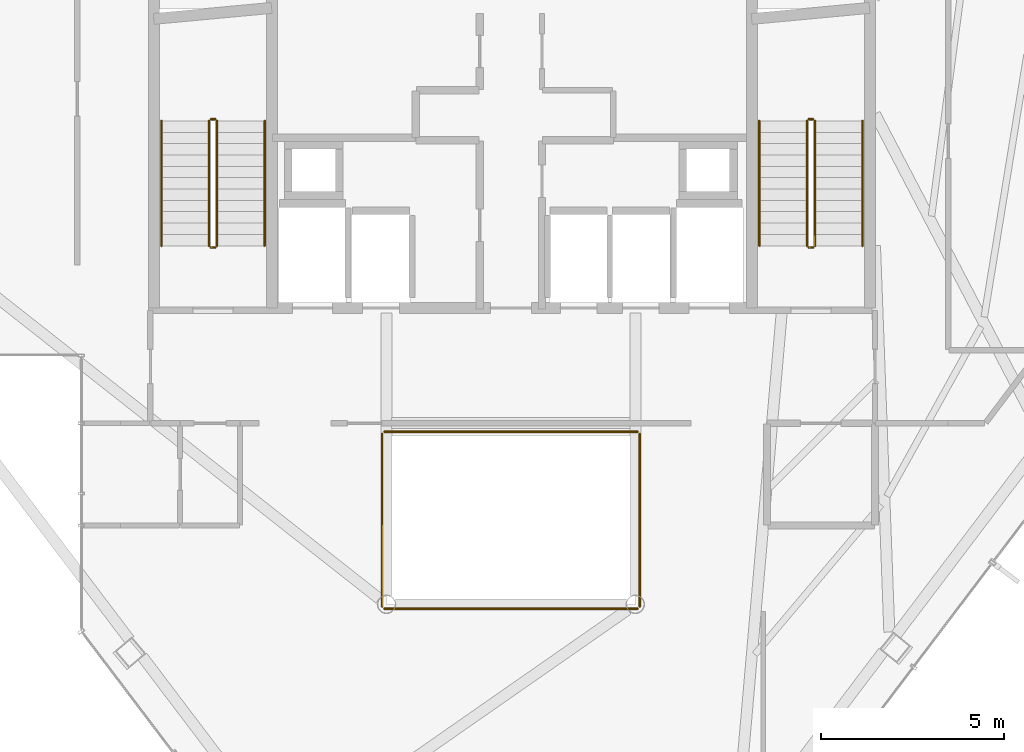
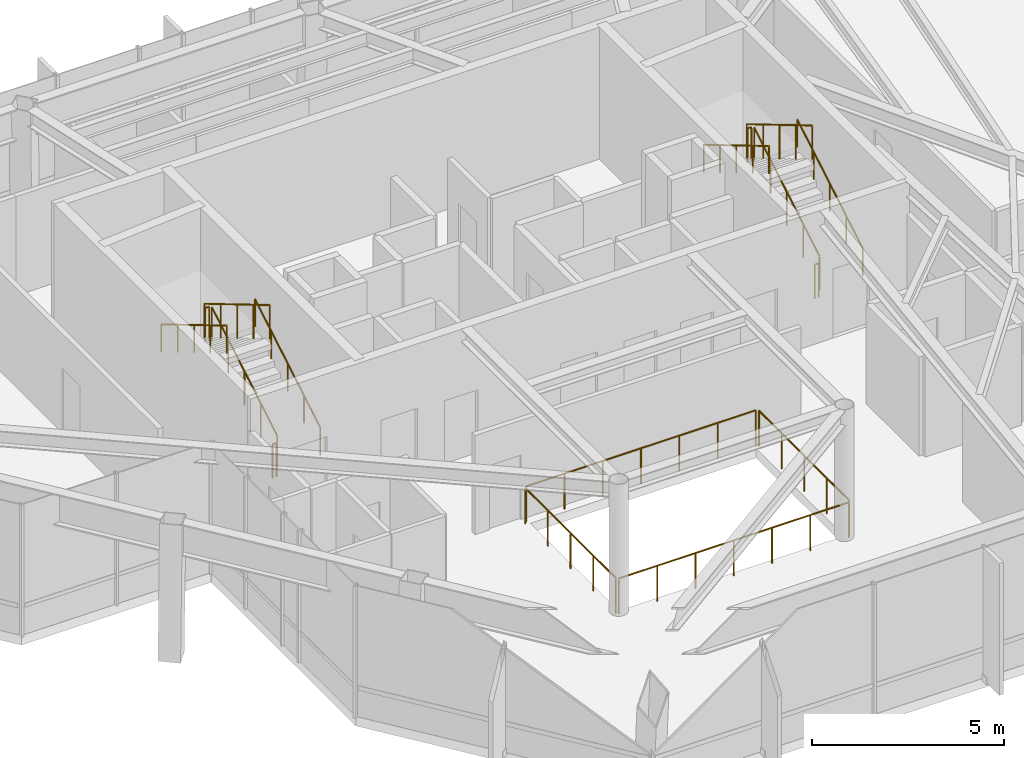
# One storey, part 22 of 22: 16 railings.
"""IFC4 building model written with IfcOpenShell, lengths in metres."""

from ifc_helpers import new_model, si_unit, direction, frame, origin, origin_2d, place, context, subcontext, project, spatial, circle, extrude, material, type_object, element, save


model = new_model("IFC4")

# Units and contexts
model_context = context("Model", 3, precision=1e-05, world=origin(), true_north=direction((0.0, 1.0)))
body_context = subcontext(model_context, "Body", "Model", "MODEL_VIEW")
ifc_project = project(units=[si_unit("LENGTHUNIT", "METRE"), si_unit("AREAUNIT", "SQUARE_METRE"), si_unit("VOLUMEUNIT", "CUBIC_METRE"), si_unit("PLANEANGLEUNIT", "RADIAN"), si_unit("MASSUNIT", "GRAM", prefix="KILO")], contexts=[model_context])

# Site, building, storey
site_placement = place(None, origin())
site = spatial("IfcSite", under=ifc_project, at=site_placement, CompositionType="ELEMENT")
building_placement = place(site_placement, origin())
building = spatial("IfcBuilding", under=site, at=building_placement, Name="Zarrinselat Tower", CompositionType="ELEMENT")
storey_placement = place(building_placement, frame((0.0, 0.0, 204.340087890625)))
storey = spatial("IfcBuildingStorey", under=building, at=storey_placement, Name="L50", CompositionType="ELEMENT", Elevation=204.340087890625)

# Railings
ifc_material_1 = material(Name="Double Low-E Laminated Solar Glass", Category="glass")
railing_type_1 = type_object("IfcRailingType", Name="RLG-ATRIUM-BAL", PredefinedType="BALUSTRADE", material=ifc_material_1)
railing_1_placement = place(storey_placement, frame((34.93994140625, 25.080078125, 0.0)))
element("IfcRailing", 1, at=railing_1_placement, inside=storey, type_object=railing_type_1, Name="L50 Atrium Void Glass Balustrade S", PredefinedType="BALUSTRADE", context=body_context, shape_type="SweptSolid", body=[
    extrude(circle(Radius=0.02392578125, at=origin_2d()), frame((0.0, 0.0, 1.1259765625), z_axis=(1.0, 0.0, 0.0), x_axis=(0.0, 1.0, 0.0)), (0.0, 0.0, 1.0), 6.920166015625),
    extrude(circle(Radius=0.02099609375, at=origin_2d()), origin(), (0.0, 0.0, 1.0), 1.099853515625),
    extrude(circle(Radius=0.02099609375, at=origin_2d()), frame((1.1533203125, 0.0, 0.0)), (0.0, 0.0, 1.0), 1.099853515625),
    extrude(circle(Radius=0.02099609375, at=origin_2d()), frame((2.306640625, 0.0, 0.0)), (0.0, 0.0, 1.0), 1.099853515625),
    extrude(circle(Radius=0.02099609375, at=origin_2d()), frame((3.4599609375, 0.0, 0.0)), (0.0, 0.0, 1.0), 1.099853515625),
    extrude(circle(Radius=0.02099609375, at=origin_2d()), frame((4.613525390625, 0.0, 0.0)), (0.0, 0.0, 1.0), 1.099853515625),
    extrude(circle(Radius=0.02099609375, at=origin_2d()), frame((5.766845703125, 0.0, 0.0)), (0.0, 0.0, 1.0), 1.099853515625),
    extrude(circle(Radius=0.02099609375, at=origin_2d()), frame((6.920166015625, 0.0, 0.0)), (0.0, 0.0, 1.0), 1.099853515625),
])
railing_2_placement = place(storey_placement, frame((41.919921875, 25.139892578125, 0.0)))
element("IfcRailing", 2, at=railing_2_placement, inside=storey, type_object=railing_type_1, Name="L50 Atrium Void Glass Balustrade E", PredefinedType="BALUSTRADE", context=body_context, shape_type="SweptSolid", body=[
    extrude(circle(Radius=0.02392578125, at=origin_2d()), frame((0.0, 0.0, 1.1259765625), z_axis=(0.0, 1.0, 0.0), x_axis=(-1.0, 0.0, 0.0)), (0.0, 0.0, 1.0), 4.72021484375),
    extrude(circle(Radius=0.02099609375, at=origin_2d()), origin(), (0.0, 0.0, 1.0), 1.099853515625),
    extrude(circle(Radius=0.02099609375, at=origin_2d()), frame((0.0, 1.18017578125, 0.0)), (0.0, 0.0, 1.0), 1.099853515625),
    extrude(circle(Radius=0.02099609375, at=origin_2d()), frame((0.0, 2.360107421875, 0.0)), (0.0, 0.0, 1.0), 1.099853515625),
    extrude(circle(Radius=0.02099609375, at=origin_2d()), frame((0.0, 3.5400390625, 0.0)), (0.0, 0.0, 1.0), 1.099853515625),
    extrude(circle(Radius=0.02099609375, at=origin_2d()), frame((0.0, 4.72021484375, 0.0)), (0.0, 0.0, 1.0), 1.099853515625),
])
railing_3_placement = place(storey_placement, frame((41.860107421875, 29.919921875, 0.0)))
element("IfcRailing", 3, at=railing_3_placement, inside=storey, type_object=railing_type_1, Name="L50 Atrium Void Glass Balustrade N", PredefinedType="BALUSTRADE", context=body_context, shape_type="SweptSolid", body=[
    extrude(circle(Radius=0.02392578125, at=origin_2d()), frame((0.0, 0.0, 1.1259765625), z_axis=(-1.0, 0.0, 0.0), x_axis=(0.0, -1.0, 0.0)), (0.0, 0.0, 1.0), 6.920166015625),
    extrude(circle(Radius=0.02099609375, at=origin_2d()), origin(), (0.0, 0.0, 1.0), 1.099853515625),
    extrude(circle(Radius=0.02099609375, at=origin_2d()), frame((-1.1533203125, 0.0, 0.0)), (0.0, 0.0, 1.0), 1.099853515625),
    extrude(circle(Radius=0.02099609375, at=origin_2d()), frame((-2.306640625, 0.0, 0.0)), (0.0, 0.0, 1.0), 1.099853515625),
    extrude(circle(Radius=0.02099609375, at=origin_2d()), frame((-3.4599609375, 0.0, 0.0)), (0.0, 0.0, 1.0), 1.099853515625),
    extrude(circle(Radius=0.02099609375, at=origin_2d()), frame((-4.613525390625, 0.0, 0.0)), (0.0, 0.0, 1.0), 1.099853515625),
    extrude(circle(Radius=0.02099609375, at=origin_2d()), frame((-5.766845703125, 0.0, 0.0)), (0.0, 0.0, 1.0), 1.099853515625),
    extrude(circle(Radius=0.02099609375, at=origin_2d()), frame((-6.920166015625, 0.0, 0.0)), (0.0, 0.0, 1.0), 1.099853515625),
])
railing_4_placement = place(storey_placement, frame((34.8798828125, 29.860107421875, 0.0)))
element("IfcRailing", 4, at=railing_4_placement, inside=storey, type_object=railing_type_1, Name="L50 Atrium Void Glass Balustrade W", PredefinedType="BALUSTRADE", context=body_context, shape_type="SweptSolid", body=[
    extrude(circle(Radius=0.02392578125, at=origin_2d()), frame((0.0, 0.0, 1.1259765625), z_axis=(0.0, -1.0, 0.0), x_axis=(1.0, 0.0, 0.0)), (0.0, 0.0, 1.0), 4.72021484375),
    extrude(circle(Radius=0.02099609375, at=origin_2d()), origin(), (0.0, 0.0, 1.0), 1.099853515625),
    extrude(circle(Radius=0.02099609375, at=origin_2d()), frame((0.0, -1.18017578125, 0.0)), (0.0, 0.0, 1.0), 1.099853515625),
    extrude(circle(Radius=0.02099609375, at=origin_2d()), frame((0.0, -2.360107421875, 0.0)), (0.0, 0.0, 1.0), 1.099853515625),
    extrude(circle(Radius=0.02099609375, at=origin_2d()), frame((0.0, -3.5400390625, 0.0)), (0.0, 0.0, 1.0), 1.099853515625),
    extrude(circle(Radius=0.02099609375, at=origin_2d()), frame((0.0, -4.72021484375, 0.0)), (0.0, 0.0, 1.0), 1.099853515625),
])
ifc_material_2 = material(Name="Steel S355J2", Category="steel")
railing_type_2 = type_object("IfcRailingType", Name="RLG-STAIR-GUARD", PredefinedType="GUARDRAIL", material=ifc_material_2)
railing_5_placement = place(storey_placement, frame((30.3701171875, 35.0, 0.18408203125)))
element("IfcRailing", 5, at=railing_5_placement, inside=storey, type_object=railing_type_2, Name="L50 ST-1 stair guard 1", PredefinedType="GUARDRAIL", context=body_context, shape_type="SweptSolid", body=[
    extrude(circle(Radius=0.02392578125, at=origin_2d()), frame((0.0, 0.0, 1.076171875), z_axis=(0.0, 0.85971707285, 0.510770549904), x_axis=(-1.0, 0.0, 0.0)), (0.0, 0.0, 1.0), 3.96630859375),
    extrude(circle(Radius=0.02099609375, at=origin_2d()), origin(), (0.0, 0.0, 1.0), 1.050048828125),
    extrude(circle(Radius=0.02099609375, at=origin_2d()), frame((0.0, 0.8525390625, 0.50634765625)), (0.0, 0.0, 1.0), 1.050048828125),
    extrude(circle(Radius=0.02099609375, at=origin_2d()), frame((0.0, 1.705078125, 1.012939453125)), (0.0, 0.0, 1.0), 1.050048828125),
    extrude(circle(Radius=0.02099609375, at=origin_2d()), frame((0.0, 2.557373046875, 1.51953125)), (0.0, 0.0, 1.0), 1.050048828125),
    extrude(circle(Radius=0.02099609375, at=origin_2d()), frame((0.0, 3.409912109375, 2.02587890625)), (0.0, 0.0, 1.0), 1.050048828125),
])
railing_6_placement = place(storey_placement, frame((30.320068359375, 38.4599609375, 2.2099609375)))
element("IfcRailing", 6, at=railing_6_placement, inside=storey, type_object=railing_type_2, Name="L50 ST-1 stair guard 2", PredefinedType="GUARDRAIL", context=body_context, shape_type="SweptSolid", body=[
    extrude(circle(Radius=0.02392578125, at=origin_2d()), frame((0.0, 0.0, 1.076171875), z_axis=(-1.0, 0.0, 0.0), x_axis=(0.0, -1.0, 0.0)), (0.0, 0.0, 1.0), 0.1201171875),
    extrude(circle(Radius=0.02099609375, at=origin_2d()), origin(), (0.0, 0.0, 1.0), 1.050048828125),
    extrude(circle(Radius=0.02099609375, at=origin_2d()), frame((-0.1201171875, 0.0, 0.0)), (0.0, 0.0, 1.0), 1.050048828125),
])
railing_7_placement = place(storey_placement, frame((30.14990234375, 38.409912109375, 2.39404296875)))
element("IfcRailing", 7, at=railing_7_placement, inside=storey, type_object=railing_type_2, Name="L50 ST-1 stair guard 3", PredefinedType="GUARDRAIL", context=body_context, shape_type="SweptSolid", body=[
    extrude(circle(Radius=0.02392578125, at=origin_2d()), frame((0.0, 0.0, 1.076171875), z_axis=(0.0, -0.85971707285, 0.510770549904), x_axis=(1.0, 0.0, 0.0)), (0.0, 0.0, 1.0), 3.96630859375),
    extrude(circle(Radius=0.02099609375, at=origin_2d()), origin(), (0.0, 0.0, 1.0), 1.050048828125),
    extrude(circle(Radius=0.02099609375, at=origin_2d()), frame((0.0, -0.8525390625, 0.50634765625)), (0.0, 0.0, 1.0), 1.050048828125),
    extrude(circle(Radius=0.02099609375, at=origin_2d()), frame((0.0, -1.705078125, 1.012939453125)), (0.0, 0.0, 1.0), 1.050048828125),
    extrude(circle(Radius=0.02099609375, at=origin_2d()), frame((0.0, -2.557373046875, 1.51953125)), (0.0, 0.0, 1.0), 1.050048828125),
    extrude(circle(Radius=0.02099609375, at=origin_2d()), frame((0.0, -3.409912109375, 2.02587890625)), (0.0, 0.0, 1.0), 1.050048828125),
])
railing_8_placement = place(storey_placement, frame((30.320068359375, 34.949951171875, 0.0)))
element("IfcRailing", 8, at=railing_8_placement, inside=storey, type_object=railing_type_2, Name="L50 ST-1 stair guard 4", PredefinedType="GUARDRAIL", context=body_context, shape_type="SweptSolid", body=[
    extrude(circle(Radius=0.02392578125, at=origin_2d()), frame((0.0, 0.0, 1.076171875), z_axis=(-1.0, 0.0, 0.0), x_axis=(0.0, -1.0, 0.0)), (0.0, 0.0, 1.0), 0.1201171875),
    extrude(circle(Radius=0.02099609375, at=origin_2d()), origin(), (0.0, 0.0, 1.0), 1.050048828125),
    extrude(circle(Radius=0.02099609375, at=origin_2d()), frame((-0.1201171875, 0.0, 0.0)), (0.0, 0.0, 1.0), 1.050048828125),
])
railing_9_placement = place(storey_placement, frame((46.7099609375, 35.0, 0.18408203125)))
element("IfcRailing", 9, at=railing_9_placement, inside=storey, type_object=railing_type_2, Name="L50 ST-2 stair guard 1", PredefinedType="GUARDRAIL", context=body_context, shape_type="SweptSolid", body=[
    extrude(circle(Radius=0.02392578125, at=origin_2d()), frame((0.0, 0.0, 1.076171875), z_axis=(0.0, 0.85971707285, 0.510770549904), x_axis=(-1.0, 0.0, 0.0)), (0.0, 0.0, 1.0), 3.96630859375),
    extrude(circle(Radius=0.02099609375, at=origin_2d()), origin(), (0.0, 0.0, 1.0), 1.050048828125),
    extrude(circle(Radius=0.02099609375, at=origin_2d()), frame((0.0, 0.8525390625, 0.50634765625)), (0.0, 0.0, 1.0), 1.050048828125),
    extrude(circle(Radius=0.02099609375, at=origin_2d()), frame((0.0, 1.705078125, 1.012939453125)), (0.0, 0.0, 1.0), 1.050048828125),
    extrude(circle(Radius=0.02099609375, at=origin_2d()), frame((0.0, 2.557373046875, 1.51953125)), (0.0, 0.0, 1.0), 1.050048828125),
    extrude(circle(Radius=0.02099609375, at=origin_2d()), frame((0.0, 3.409912109375, 2.02587890625)), (0.0, 0.0, 1.0), 1.050048828125),
])
railing_10_placement = place(storey_placement, frame((46.659912109375, 38.4599609375, 2.2099609375)))
element("IfcRailing", 10, at=railing_10_placement, inside=storey, type_object=railing_type_2, Name="L50 ST-2 stair guard 2", PredefinedType="GUARDRAIL", context=body_context, shape_type="SweptSolid", body=[
    extrude(circle(Radius=0.02392578125, at=origin_2d()), frame((0.0, 0.0, 1.076171875), z_axis=(-1.0, 0.0, 0.0), x_axis=(0.0, -1.0, 0.0)), (0.0, 0.0, 1.0), 0.119873046875),
    extrude(circle(Radius=0.02099609375, at=origin_2d()), origin(), (0.0, 0.0, 1.0), 1.050048828125),
    extrude(circle(Radius=0.02099609375, at=origin_2d()), frame((-0.119873046875, 0.0, 0.0)), (0.0, 0.0, 1.0), 1.050048828125),
])
railing_11_placement = place(storey_placement, frame((46.489990234375, 38.409912109375, 2.39404296875)))
element("IfcRailing", 11, at=railing_11_placement, inside=storey, type_object=railing_type_2, Name="L50 ST-2 stair guard 3", PredefinedType="GUARDRAIL", context=body_context, shape_type="SweptSolid", body=[
    extrude(circle(Radius=0.02392578125, at=origin_2d()), frame((0.0, 0.0, 1.076171875), z_axis=(0.0, -0.85971707285, 0.510770549904), x_axis=(1.0, 0.0, 0.0)), (0.0, 0.0, 1.0), 3.96630859375),
    extrude(circle(Radius=0.02099609375, at=origin_2d()), origin(), (0.0, 0.0, 1.0), 1.050048828125),
    extrude(circle(Radius=0.02099609375, at=origin_2d()), frame((0.0, -0.8525390625, 0.50634765625)), (0.0, 0.0, 1.0), 1.050048828125),
    extrude(circle(Radius=0.02099609375, at=origin_2d()), frame((0.0, -1.705078125, 1.012939453125)), (0.0, 0.0, 1.0), 1.050048828125),
    extrude(circle(Radius=0.02099609375, at=origin_2d()), frame((0.0, -2.557373046875, 1.51953125)), (0.0, 0.0, 1.0), 1.050048828125),
    extrude(circle(Radius=0.02099609375, at=origin_2d()), frame((0.0, -3.409912109375, 2.02587890625)), (0.0, 0.0, 1.0), 1.050048828125),
])
railing_12_placement = place(storey_placement, frame((46.659912109375, 34.949951171875, 0.0)))
element("IfcRailing", 12, at=railing_12_placement, inside=storey, type_object=railing_type_2, Name="L50 ST-2 stair guard 4", PredefinedType="GUARDRAIL", context=body_context, shape_type="SweptSolid", body=[
    extrude(circle(Radius=0.02392578125, at=origin_2d()), frame((0.0, 0.0, 1.076171875), z_axis=(-1.0, 0.0, 0.0), x_axis=(0.0, -1.0, 0.0)), (0.0, 0.0, 1.0), 0.119873046875),
    extrude(circle(Radius=0.02099609375, at=origin_2d()), origin(), (0.0, 0.0, 1.0), 1.050048828125),
    extrude(circle(Radius=0.02099609375, at=origin_2d()), frame((-0.119873046875, 0.0, 0.0)), (0.0, 0.0, 1.0), 1.050048828125),
])
ifc_material_3 = material(Name="Steel S355J2", Category="steel")
railing_type_3 = type_object("IfcRailingType", Name="RLG-STAIR-HAND", PredefinedType="HANDRAIL", material=ifc_material_3)
railing_13_placement = place(storey_placement, frame((31.669921875, 35.0, 0.18408203125)))
element("IfcRailing", 13, at=railing_13_placement, inside=storey, type_object=railing_type_3, Name="L50 ST-1 stair handrail 1", PredefinedType="HANDRAIL", context=body_context, shape_type="SweptSolid", body=[
    extrude(circle(Radius=0.02392578125, at=origin_2d()), frame((0.0, 0.0, 0.8759765625), z_axis=(0.0, 0.85971707285, 0.510770549904), x_axis=(-1.0, 0.0, 0.0)), (0.0, 0.0, 1.0), 3.96630859375),
    extrude(circle(Radius=0.02099609375, at=origin_2d()), origin(), (0.0, 0.0, 1.0), 0.849853515625),
    extrude(circle(Radius=0.02099609375, at=origin_2d()), frame((0.0, 0.8525390625, 0.50634765625)), (0.0, 0.0, 1.0), 0.849853515625),
    extrude(circle(Radius=0.02099609375, at=origin_2d()), frame((0.0, 1.705078125, 1.012939453125)), (0.0, 0.0, 1.0), 0.849853515625),
    extrude(circle(Radius=0.02099609375, at=origin_2d()), frame((0.0, 2.557373046875, 1.51953125)), (0.0, 0.0, 1.0), 0.849853515625),
    extrude(circle(Radius=0.02099609375, at=origin_2d()), frame((0.0, 3.409912109375, 2.02587890625)), (0.0, 0.0, 1.0), 0.849853515625),
])
railing_14_placement = place(storey_placement, frame((28.85009765625, 38.409912109375, 2.39404296875)))
element("IfcRailing", 14, at=railing_14_placement, inside=storey, type_object=railing_type_3, Name="L50 ST-1 stair handrail 2", PredefinedType="HANDRAIL", context=body_context, shape_type="SweptSolid", body=[
    extrude(circle(Radius=0.02392578125, at=origin_2d()), frame((0.0, 0.0, 0.8759765625), z_axis=(0.0, -0.85971707285, 0.510770549904), x_axis=(1.0, 0.0, 0.0)), (0.0, 0.0, 1.0), 3.96630859375),
    extrude(circle(Radius=0.02099609375, at=origin_2d()), origin(), (0.0, 0.0, 1.0), 0.849853515625),
    extrude(circle(Radius=0.02099609375, at=origin_2d()), frame((0.0, -0.8525390625, 0.50634765625)), (0.0, 0.0, 1.0), 0.849853515625),
    extrude(circle(Radius=0.02099609375, at=origin_2d()), frame((0.0, -1.705078125, 1.012939453125)), (0.0, 0.0, 1.0), 0.849853515625),
    extrude(circle(Radius=0.02099609375, at=origin_2d()), frame((0.0, -2.557373046875, 1.51953125)), (0.0, 0.0, 1.0), 0.849853515625),
    extrude(circle(Radius=0.02099609375, at=origin_2d()), frame((0.0, -3.409912109375, 2.02587890625)), (0.0, 0.0, 1.0), 0.849853515625),
])
railing_15_placement = place(storey_placement, frame((48.010009765625, 35.0, 0.18408203125)))
element("IfcRailing", 15, at=railing_15_placement, inside=storey, type_object=railing_type_3, Name="L50 ST-2 stair handrail 1", PredefinedType="HANDRAIL", context=body_context, shape_type="SweptSolid", body=[
    extrude(circle(Radius=0.02392578125, at=origin_2d()), frame((0.0, 0.0, 0.8759765625), z_axis=(0.0, 0.85971707285, 0.510770549904), x_axis=(-1.0, 0.0, 0.0)), (0.0, 0.0, 1.0), 3.96630859375),
    extrude(circle(Radius=0.02099609375, at=origin_2d()), origin(), (0.0, 0.0, 1.0), 0.849853515625),
    extrude(circle(Radius=0.02099609375, at=origin_2d()), frame((0.0, 0.8525390625, 0.50634765625)), (0.0, 0.0, 1.0), 0.849853515625),
    extrude(circle(Radius=0.02099609375, at=origin_2d()), frame((0.0, 1.705078125, 1.012939453125)), (0.0, 0.0, 1.0), 0.849853515625),
    extrude(circle(Radius=0.02099609375, at=origin_2d()), frame((0.0, 2.557373046875, 1.51953125)), (0.0, 0.0, 1.0), 0.849853515625),
    extrude(circle(Radius=0.02099609375, at=origin_2d()), frame((0.0, 3.409912109375, 2.02587890625)), (0.0, 0.0, 1.0), 0.849853515625),
])
railing_16_placement = place(storey_placement, frame((45.18994140625, 38.409912109375, 2.39404296875)))
element("IfcRailing", 16, at=railing_16_placement, inside=storey, type_object=railing_type_3, Name="L50 ST-2 stair handrail 2", PredefinedType="HANDRAIL", context=body_context, shape_type="SweptSolid", body=[
    extrude(circle(Radius=0.02392578125, at=origin_2d()), frame((0.0, 0.0, 0.8759765625), z_axis=(0.0, -0.85971707285, 0.510770549904), x_axis=(1.0, 0.0, 0.0)), (0.0, 0.0, 1.0), 3.96630859375),
    extrude(circle(Radius=0.02099609375, at=origin_2d()), origin(), (0.0, 0.0, 1.0), 0.849853515625),
    extrude(circle(Radius=0.02099609375, at=origin_2d()), frame((0.0, -0.8525390625, 0.50634765625)), (0.0, 0.0, 1.0), 0.849853515625),
    extrude(circle(Radius=0.02099609375, at=origin_2d()), frame((0.0, -1.705078125, 1.012939453125)), (0.0, 0.0, 1.0), 0.849853515625),
    extrude(circle(Radius=0.02099609375, at=origin_2d()), frame((0.0, -2.557373046875, 1.51953125)), (0.0, 0.0, 1.0), 0.849853515625),
    extrude(circle(Radius=0.02099609375, at=origin_2d()), frame((0.0, -3.409912109375, 2.02587890625)), (0.0, 0.0, 1.0), 0.849853515625),
])

save(model, "model.ifc")
